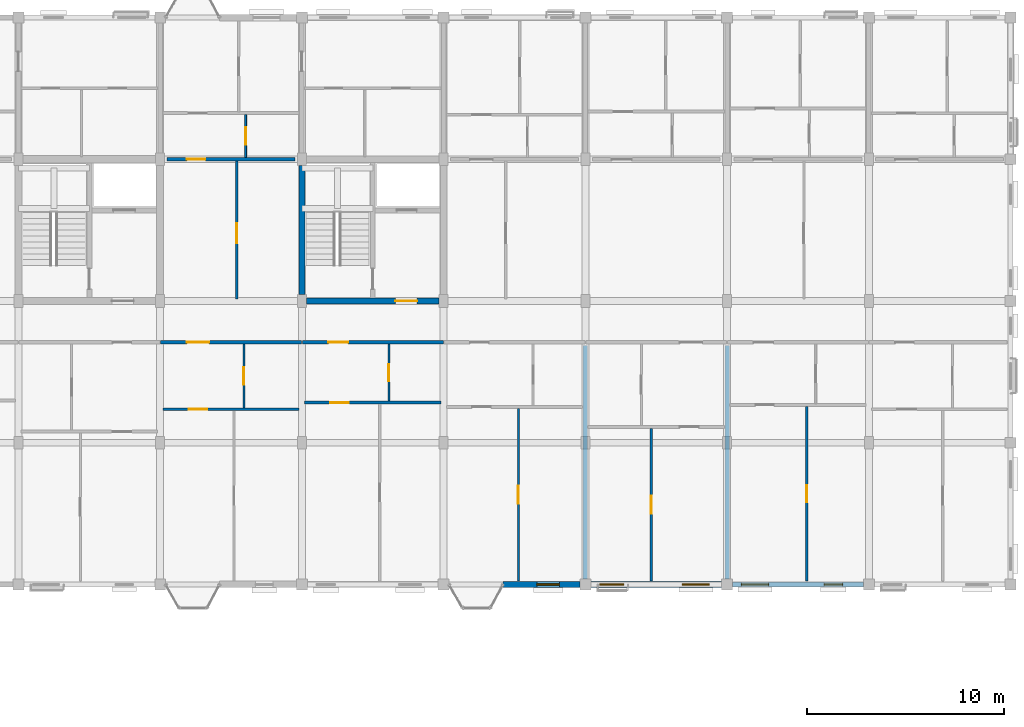
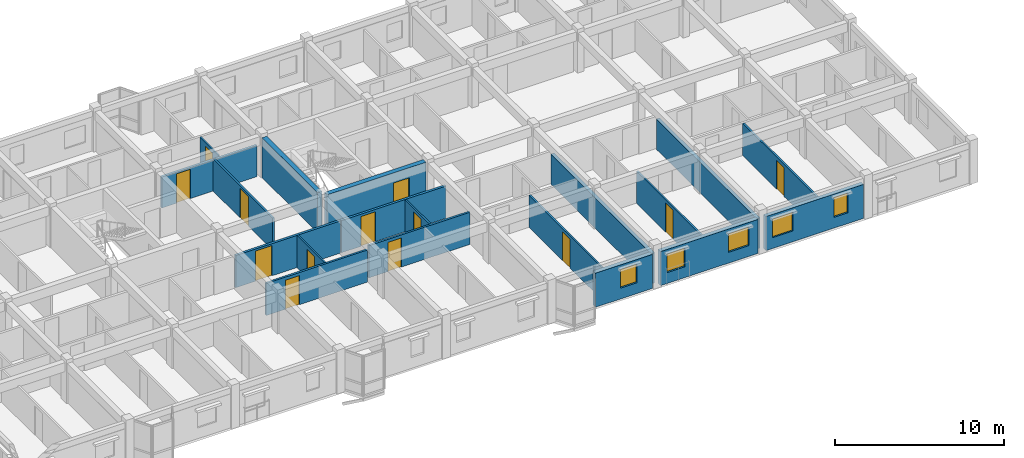
# One storey, part 67 of 79: 19 walls, 13 doors, 5 windows, 18 openings.
"""IFC4 building model written with IfcOpenShell, lengths in metres."""

import ifcopenshell
import ifcopenshell.guid

model = None  # the IFC model being written
_history = None  # IfcOwnerHistory: only IFC2X3 demands one
_inside = {}  # id of a spatial element -> (the spatial element, [elements in it])
_under = {}  # id of a project, library or spatial element -> (it, [spatial elements below it])
_declared = {}  # id of a project -> (the project, [libraries it declares])
_typed = {}  # id of a type object -> (the type object, [elements of that type])
_made_of = {}  # id of a material, layer set ... -> (it, [elements and type objects made of it])


def new_model(schema):
    """Start an empty IFC model of exactly this schema.

    Asked for "IFC4X3", IfcOpenShell would pick the latest addendum, in which some entities
    have other attributes; the version numbers below select the first issue.
    IFC2X3 requires an IfcOwnerHistory on every rooted entity: one is made here for all.
    """
    global model, _history
    if schema == "IFC4X3":
        model = ifcopenshell.file(schema_version=(4, 3, 0, 0))
    else:
        model = ifcopenshell.file(schema=schema)
    _inside.clear()
    _under.clear()
    _declared.clear()
    _typed.clear()
    _made_of.clear()
    _history = None
    if model.schema == "IFC2X3":
        org = make("IfcOrganization", Name="unknown")
        user = make(
            "IfcPersonAndOrganization",
            ThePerson=make("IfcPerson", FamilyName="unknown"),
            TheOrganization=org,
        )
        app = make(
            "IfcApplication",
            ApplicationDeveloper=org,
            Version="unknown",
            ApplicationFullName="unknown",
            ApplicationIdentifier="unknown",
        )
        _history = make(
            "IfcOwnerHistory",
            OwningUser=user,
            OwningApplication=app,
            ChangeAction="ADDED",
            CreationDate=0,
        )
    return model


def make(cls, **values):
    """One entity of the class cls with the attributes given. An attribute that is None is left unset."""
    return model.create_entity(
        cls, **{name: value for name, value in values.items() if value is not None}
    )


def rooted(cls, **values):
    """An entity with a GlobalId (a new one), such as an element, a storey or a relation."""
    return make(cls, GlobalId=ifcopenshell.guid.new(), OwnerHistory=_history, **values)


def si_unit(unit_type, name, prefix=None):
    """IfcSIUnit, for example si_unit("LENGTHUNIT", "METRE", prefix="MILLI")."""
    return make("IfcSIUnit", UnitType=unit_type, Prefix=prefix, Name=name)


def assignment(units):
    """IfcUnitAssignment: the units of a project."""
    return None if units is None else make("IfcUnitAssignment", Units=units)


def point(xyz):
    """IfcCartesianPoint."""
    return None if xyz is None else make("IfcCartesianPoint", Coordinates=xyz)


def direction(xyz):
    """IfcDirection."""
    return None if xyz is None else make("IfcDirection", DirectionRatios=xyz)


def frame(location, z_axis=None, x_axis=None):
    """IfcAxis2Placement3D, a coordinate frame: its origin and axes. An axis left out is left unset."""
    return make(
        "IfcAxis2Placement3D",
        Location=point(location),
        Axis=direction(z_axis),
        RefDirection=direction(x_axis),
    )


def frame_2d(location, x_axis=None):
    """IfcAxis2Placement2D, a coordinate frame in the plane: its origin and x axis."""
    return make(
        "IfcAxis2Placement2D", Location=point(location), RefDirection=direction(x_axis)
    )


def origin():
    """The frame at (0, 0, 0) with its axes left unset."""
    return frame((0.0, 0.0, 0.0))


def place(relative_to, where):
    """IfcLocalPlacement: puts the frame where relative to a parent placement (None: the world)."""
    return make(
        "IfcLocalPlacement", PlacementRelTo=relative_to, RelativePlacement=where
    )


def context(
    kind, dimensions, precision=None, world=None, true_north=None, identifier=None
):
    """IfcGeometricRepresentationContext, for example the 3D "Model" context."""
    return make(
        "IfcGeometricRepresentationContext",
        ContextIdentifier=identifier,
        ContextType=kind,
        CoordinateSpaceDimension=dimensions,
        Precision=precision,
        WorldCoordinateSystem=world,
        TrueNorth=true_north,
    )


def subcontext(parent, identifier, kind, view, scale=None):
    """IfcGeometricRepresentationSubContext, for example "Body" below "Model"."""
    return make(
        "IfcGeometricRepresentationSubContext",
        ContextIdentifier=identifier,
        ContextType=kind,
        ParentContext=parent,
        TargetScale=scale,
        TargetView=view,
    )


def project(units=None, contexts=None):
    """IfcProject with its units and contexts."""
    return rooted(
        "IfcProject",
        Name="project",
        RepresentationContexts=contexts,
        UnitsInContext=assignment(units),
    )


def spatial(cls, under=None, at=None, **own):
    """A site, building, storey or space (cls), placed at a placement, below another one or the project."""
    s = rooted(cls, ObjectPlacement=at, **own)
    if under is not None:
        _under.setdefault(under.id(), (under, []))[1].append(s)
    return s


def profile(cls, at=None, kind="AREA", **sizes):
    """A parametric profile (cls). Its sizes go by their IFC names, for example OverallWidth=200.0."""
    return make(cls, ProfileType=kind, Position=at, **sizes)


def rectangle(**sizes):
    """IfcRectangleProfileDef."""
    return profile("IfcRectangleProfileDef", **sizes)


def extrude(swept, where, along, depth):
    """IfcExtrudedAreaSolid: the profile swept, set in the frame where, extruded along a direction by depth."""
    return make(
        "IfcExtrudedAreaSolid",
        SweptArea=swept,
        Position=where,
        ExtrudedDirection=direction(along),
        Depth=depth,
    )


def shape(context_of_items, identifier, shape_type, items):
    """IfcShapeRepresentation: the items that make up one representation, for example the "Body"."""
    return make(
        "IfcShapeRepresentation",
        ContextOfItems=context_of_items,
        RepresentationIdentifier=identifier,
        RepresentationType=shape_type,
        Items=items,
    )


def material(Name=None, Category=None):
    """IfcMaterial."""
    return make("IfcMaterial", Name=Name, Category=Category)


def layer(
    of_material, thickness, ventilated=None, Name=None, Category=None, Priority=None
):
    """IfcMaterialLayer: one layer of a wall or slab, of a material (None: an air gap)."""
    return make(
        "IfcMaterialLayer",
        Material=of_material,
        LayerThickness=thickness,
        IsVentilated=ventilated,
        Name=Name,
        Category=Category,
        Priority=Priority,
    )


def layer_set(layers, Name=None):
    """IfcMaterialLayerSet."""
    return make("IfcMaterialLayerSet", MaterialLayers=layers, LayerSetName=Name)


def made_of(thing, what):
    """Note that an element or type object is made of a material, layer set ...; save() writes the relation."""
    if what is not None:
        _made_of.setdefault(what.id(), (what, []))[1].append(thing)
    return thing


def type_object(cls, material=None, **own):
    """A type object (cls), such as IfcWallType, which elements share."""
    return made_of(rooted(cls, **own), material)


def element(
    cls,
    number,
    at=None,
    inside=None,
    cuts=None,
    type_object=None,
    material=None,
    context=None,
    identifier="Body",
    shape_type=None,
    held_by="IfcProductDefinitionShape",
    body=None,
    shapes=None,
    **own,
):
    """One element of the class cls, such as IfcWall. Its Tag is "e" and its number.

    at: its placement. inside: the storey or other place that contains it. cuts: it is an
    opening in that element (IfcRelVoidsElement). A single representation is given by context,
    identifier, shape_type and body (its items); several are given by shapes. held_by: the class
    of the entity that holds the representations. save() writes the other relations.
    """
    e = rooted(cls, Tag="e%d" % number, ObjectPlacement=at, **own)
    if body is not None:
        shapes = [shape(context, identifier, shape_type, body)]
    if shapes is not None:
        e.Representation = make(held_by, Representations=shapes)
    if inside is not None:
        _inside.setdefault(inside.id(), (inside, []))[1].append(e)
    if cuts is not None:
        rooted(
            "IfcRelVoidsElement", RelatingBuildingElement=cuts, RelatedOpeningElement=e
        )
    if type_object is not None:
        _typed.setdefault(type_object.id(), (type_object, []))[1].append(e)
    return made_of(e, material)


def fill(opening, filler):
    """IfcRelFillsElement: the door or window that sits in an opening."""
    return rooted(
        "IfcRelFillsElement",
        RelatingOpeningElement=opening,
        RelatedBuildingElement=filler,
    )


def aggregate(whole, parts):
    """IfcRelAggregates: a whole, such as a stair, and the parts it consists of."""
    return rooted("IfcRelAggregates", RelatingObject=whole, RelatedObjects=parts)


def save(model, path):
    """Write the relations noted so far, then the file.

    IfcRelAggregates (storeys below a building ...), IfcRelContainedInSpatialStructure (elements
    in a storey), IfcRelDefinesByType, IfcRelAssociatesMaterial and IfcRelDeclares: one each for
    every whole, place, type object, material and project.
    """
    for whole, parts in _under.values():
        aggregate(whole, parts)
    for where, things in _inside.values():
        rooted(
            "IfcRelContainedInSpatialStructure",
            RelatedElements=things,
            RelatingStructure=where,
        )
    for kind, things in _typed.values():
        rooted("IfcRelDefinesByType", RelatedObjects=things, RelatingType=kind)
    for what, things in _made_of.values():
        rooted("IfcRelAssociatesMaterial", RelatedObjects=things, RelatingMaterial=what)
    for by, libraries in _declared.values():
        rooted("IfcRelDeclares", RelatingContext=by, RelatedDefinitions=libraries)
    model.write(path)


model = new_model("IFC4")

# Units and contexts
model_context = context("Model", 3, precision=1e-05, world=origin(), true_north=direction((0.0, 1.0)))
body_context = subcontext(model_context, "Body", "Model", "MODEL_VIEW")
ifc_project = project(units=[si_unit("LENGTHUNIT", "METRE"), si_unit("AREAUNIT", "SQUARE_METRE"), si_unit("VOLUMEUNIT", "CUBIC_METRE"), si_unit("PLANEANGLEUNIT", "RADIAN"), si_unit("MASSUNIT", "GRAM", prefix="KILO"), si_unit("THERMODYNAMICTEMPERATUREUNIT", "KELVIN"), si_unit("POWERUNIT", "WATT")], contexts=[model_context])

# Site, building, storey
site_placement = place(None, origin())
site = spatial("IfcSite", under=ifc_project, at=site_placement, CompositionType="ELEMENT")
building_placement = place(site_placement, origin())
building = spatial("IfcBuilding", under=site, at=building_placement, Name="Tavuni Mirador Residences", CompositionType="ELEMENT")
storey_placement = place(building_placement, frame((0.0, 0.0, 13.949951171875)))
storey = spatial("IfcBuildingStorey", under=building, at=storey_placement, Name="L04", CompositionType="ELEMENT", Elevation=13.949951171875)

# Wall
ifc_material_1 = material(Name="Precast concrete C40/50", Category="concrete")
ifc_layer_1 = layer(ifc_material_1, 0.320068359375, Name="Precast concrete C40/50", Category="concrete")
ifc_layer_set_1 = layer_set([ifc_layer_1], Name="Precast concrete C40/50")
wall_type_1 = type_object("IfcWallType", Name="WT-COR320", PredefinedType="SHEAR", material=ifc_layer_set_1)
wall_1_placement = place(storey_placement, frame((39.60009765625, 158.72509765625, 0.0), z_axis=(0.0, 0.0, 1.0), x_axis=(0.0, 1.0, 0.0)))
element("IfcWall", 1, at=wall_1_placement, inside=storey, type_object=wall_type_1, Name="CWALL-C6-L04-W", PredefinedType="SHEAR", context=body_context, shape_type="SweptSolid", body=[
    extrude(rectangle(XDim=6.5498046875, YDim=0.320068359375, at=frame_2d((3.27490234375, 0.0))), origin(), (0.0, 0.0, 1.0), 2.885009765625),
])

# Wall, opening, door
wall_2_placement = place(storey_placement, frame((39.824951171875, 158.39990234375, 0.0), z_axis=(0.0, 0.0, 1.0), x_axis=(1.0, 0.0, 0.0)))
wall_2 = element("IfcWall", 2, at=wall_2_placement, inside=storey, type_object=wall_type_1, Name="CWALL-C6-L04-SS", PredefinedType="SHEAR", context=body_context, shape_type="SweptSolid", body=[
    extrude(rectangle(XDim=6.75, YDim=0.320068359375, at=frame_2d((3.375, 0.0))), origin(), (0.0, 0.0, 1.0), 2.885009765625),
])
opening_1_placement = place(wall_2_placement, frame((4.52490234375, 0.0, 0.0)))
opening_1 = element("IfcOpeningElement", 3, at=opening_1_placement, cuts=wall_2, Name="Opening D-02", PredefinedType="OPENING", context=body_context, shape_type="SweptSolid", body=[
    extrude(rectangle(XDim=1.10009765625, YDim=2.14990234375, at=frame_2d((0.550048828125, 1.074951171875))), frame((0.0, 0.169921875, 0.0), z_axis=(0.0, -1.0, 0.0), x_axis=(1.0, 0.0, 0.0)), (0.0, 0.0, 1.0), 0.340087890625),
])
ifc_material_2 = material(Name="Solid core iroko timber", Category="wood")
door_type_1 = type_object("IfcDoorType", Name="DT-LOB1100", OperationType="NOTDEFINED", PredefinedType="DOOR", material=ifc_material_2)
door_1_placement = place(opening_1_placement, frame((1.10009765625, 0.0, 0.0), z_axis=(0.0, 0.0, 1.0), x_axis=(-1.0, 0.0, 0.0)))
door_1 = element("IfcDoor", 4, at=door_1_placement, inside=storey, type_object=door_type_1, Name="DR-2231", OperationType="SINGLE_SWING_LEFT", OverallHeight=2.14990234375, OverallWidth=1.10009765625, PredefinedType="DOOR", context=body_context, shape_type="SweptSolid", body=[
    extrude(rectangle(XDim=1.10009765625, YDim=2.14990234375, at=frame_2d((0.550048828125, 1.074951171875))), frame((0.0, 0.02490234375, 0.0), z_axis=(0.0, -1.0, 0.0), x_axis=(1.0, 0.0, 0.0)), (0.0, 0.0, 1.0), 0.050048828125),
])
fill(opening_1, door_1)

ifc_layer_2 = layer(ifc_material_1, 0.1650390625, Name="Precast concrete C40/50", Category="concrete")
ifc_layer_set_2 = layer_set([ifc_layer_2], Name="Precast concrete C40/50")
wall_type_2 = type_object("IfcWallType", Name="WT-CORR165", PredefinedType="PARTITIONING", material=ifc_layer_set_2)
wall_3_placement = place(storey_placement, frame((32.419921875, 156.300048828125, 0.0), z_axis=(0.0, 0.0, 1.0), x_axis=(1.0, 0.0, 0.0)))
wall_3 = element("IfcWall", 5, at=wall_3_placement, inside=storey, type_object=wall_type_2, Name="CORW-BLK-C-L04-0-03", PredefinedType="PARTITIONING", context=body_context, shape_type="SweptSolid", body=[
    extrude(rectangle(XDim=7.16015625, YDim=0.1650390625, at=frame_2d((3.580078125, 0.0))), origin(), (0.0, 0.0, 1.0), 2.320068359375),
])
opening_2_placement = place(wall_3_placement, frame((1.330078125, 0.0, 0.0)))
opening_2 = element("IfcOpeningElement", 6, at=opening_2_placement, cuts=wall_3, Name="Opening D-20", PredefinedType="OPENING", context=body_context, shape_type="SweptSolid", body=[
    extrude(rectangle(XDim=1.139892578125, YDim=2.179931640625, at=frame_2d((0.56982421875, 1.08984375))), frame((0.0, 0.092529296875, 0.0), z_axis=(0.0, -1.0, 0.0), x_axis=(1.0, 0.0, 0.0)), (0.0, 0.0, 1.0), 0.18505859375),
])
door_type_2 = type_object("IfcDoorType", Name="DT-FD60-1140", OperationType="NOTDEFINED", PredefinedType="DOOR", material=ifc_material_2)
door_2_placement = place(opening_2_placement, origin())
door_2 = element("IfcDoor", 7, at=door_2_placement, inside=storey, type_object=door_type_2, Name="DR-2678", OperationType="SINGLE_SWING_LEFT", OverallHeight=2.179931640625, OverallWidth=1.139892578125, PredefinedType="DOOR", context=body_context, shape_type="SweptSolid", body=[
    extrude(rectangle(XDim=1.139892578125, YDim=2.179931640625, at=frame_2d((0.56982421875, 1.08984375))), frame((0.0, 0.02490234375, 0.0), z_axis=(0.0, -1.0, 0.0), x_axis=(1.0, 0.0, 0.0)), (0.0, 0.0, 1.0), 0.050048828125),
])
fill(opening_2, door_2)

wall_4_placement = place(storey_placement, frame((39.6201171875, 156.300048828125, 0.0), z_axis=(0.0, 0.0, 1.0), x_axis=(1.0, 0.0, 0.0)))
wall_4 = element("IfcWall", 8, at=wall_4_placement, inside=storey, type_object=wall_type_2, Name="CORW-BLK-C-L04-0-04", PredefinedType="PARTITIONING", context=body_context, shape_type="SweptSolid", body=[
    extrude(rectangle(XDim=7.159912109375, YDim=0.1650390625, at=frame_2d((3.580078125, 0.0))), origin(), (0.0, 0.0, 1.0), 2.320068359375),
])
opening_3_placement = place(wall_4_placement, frame((1.330078125, 0.0, 0.0)))
opening_3 = element("IfcOpeningElement", 9, at=opening_3_placement, cuts=wall_4, Name="Opening D-03", PredefinedType="OPENING", context=body_context, shape_type="SweptSolid", body=[
    extrude(rectangle(XDim=1.0, YDim=2.14990234375, at=frame_2d((0.5, 1.074951171875))), frame((0.0, 0.092529296875, 0.0), z_axis=(0.0, -1.0, 0.0), x_axis=(1.0, 0.0, 0.0)), (0.0, 0.0, 1.0), 0.18505859375),
])
door_type_3 = type_object("IfcDoorType", Name="DT-FD60-1000", OperationType="NOTDEFINED", PredefinedType="DOOR", material=ifc_material_2)
door_3_placement = place(opening_3_placement, origin())
door_3 = element("IfcDoor", 10, at=door_3_placement, inside=storey, type_object=door_type_3, Name="DR-2679", OperationType="SINGLE_SWING_RIGHT", OverallHeight=2.14990234375, OverallWidth=1.0, PredefinedType="DOOR", context=body_context, shape_type="SweptSolid", body=[
    extrude(rectangle(XDim=1.0, YDim=2.14990234375, at=frame_2d((0.5, 1.074951171875))), frame((0.0, 0.02490234375, 0.0), z_axis=(0.0, -1.0, 0.0), x_axis=(1.0, 0.0, 0.0)), (0.0, 0.0, 1.0), 0.050048828125),
])
fill(opening_3, door_3)

wall_5_placement = place(storey_placement, frame((32.75, 165.60009765625, 0.0), z_axis=(0.0, 0.0, 1.0), x_axis=(1.0, 0.0, 0.0)))
wall_5 = element("IfcWall", 11, at=wall_5_placement, inside=storey, type_object=wall_type_2, Name="CORW-BLK-C-L04-1-03", PredefinedType="PARTITIONING", context=body_context, shape_type="SweptSolid", body=[
    extrude(rectangle(XDim=6.5, YDim=0.1650390625, at=frame_2d((3.25, 0.0))), origin(), (0.0, 0.0, 1.0), 2.235107421875),
])
opening_4_placement = place(wall_5_placement, frame((1.0, 0.0, 0.0)))
opening_4 = element("IfcOpeningElement", 12, at=opening_4_placement, cuts=wall_5, Name="Opening D-19", PredefinedType="OPENING", context=body_context, shape_type="SweptSolid", body=[
    extrude(rectangle(XDim=0.93994140625, YDim=2.1201171875, at=frame_2d((0.469970703125, 1.06005859375))), frame((0.0, 0.092529296875, 0.0), z_axis=(0.0, -1.0, 0.0), x_axis=(1.0, 0.0, 0.0)), (0.0, 0.0, 1.0), 0.18505859375),
])
door_type_4 = type_object("IfcDoorType", Name="DT-FD60-940", OperationType="NOTDEFINED", PredefinedType="DOOR", material=ifc_material_2)
door_4_placement = place(opening_4_placement, origin())
door_4 = element("IfcDoor", 13, at=door_4_placement, inside=storey, type_object=door_type_4, Name="DR-2686", OperationType="SINGLE_SWING_LEFT", OverallHeight=2.1201171875, OverallWidth=0.93994140625, PredefinedType="DOOR", context=body_context, shape_type="SweptSolid", body=[
    extrude(rectangle(XDim=0.93994140625, YDim=2.1201171875, at=frame_2d((0.469970703125, 1.06005859375))), frame((0.0, 0.02490234375, 0.0), z_axis=(0.0, -1.0, 0.0), x_axis=(1.0, 0.0, 0.0)), (0.0, 0.0, 1.0), 0.050048828125),
])
fill(opening_4, door_4)

# Wall, openings, windows
ifc_material_3 = material(Name="Sgraffito lime-rendered precast concrete C40/50", Category="concrete")
ifc_layer_3 = layer(ifc_material_3, 0.27490234375, Name="Sgraffito lime-rendered precast concrete C40/50", Category="concrete")
ifc_layer_set_3 = layer_set([ifc_layer_3], Name="Sgraffito lime-rendered precast concrete C40/50")
wall_type_3 = type_object("IfcWallType", Name="WT-EXT-PC275", PredefinedType="SOLIDWALL", material=ifc_layer_set_3)
wall_6_placement = place(storey_placement, frame((61.47509765625, 144.0, 0.0), z_axis=(0.0, 0.0, 1.0), x_axis=(1.0, 0.0, 0.0)))
wall_6 = element("IfcWall", 14, at=wall_6_placement, inside=storey, type_object=wall_type_3, Name="EW-BLK-C-L04-S07", PredefinedType="SOLIDWALL", context=body_context, shape_type="SweptSolid", body=[
    extrude(rectangle(XDim=6.64990234375, YDim=0.27490234375, at=frame_2d((3.324951171875, 0.0))), origin(), (0.0, 0.0, 1.0), 2.455078125),
])
opening_5_placement = place(wall_6_placement, frame((0.449951171875, 0.0, 0.780029296875)))
opening_5 = element("IfcOpeningElement", 15, at=opening_5_placement, cuts=wall_6, Name="Opening WN-23", PredefinedType="OPENING", context=body_context, shape_type="SweptSolid", body=[
    extrude(rectangle(XDim=1.3798828125, YDim=1.360107421875, at=frame_2d((0.68994140625, 0.68017578125))), frame((0.0, 0.1474609375, 0.0), z_axis=(0.0, -1.0, 0.0), x_axis=(1.0, 0.0, 0.0)), (0.0, 0.0, 1.0), 0.294921875),
])
opening_6_placement = place(wall_6_placement, frame((4.64990234375, 0.0, 0.780029296875)))
opening_6 = element("IfcOpeningElement", 16, at=opening_6_placement, cuts=wall_6, Name="Opening WN-25", PredefinedType="OPENING", context=body_context, shape_type="SweptSolid", body=[
    extrude(rectangle(XDim=0.93994140625, YDim=1.43994140625, at=frame_2d((0.469970703125, 0.719970703125))), frame((0.0, 0.1474609375, 0.0), z_axis=(0.0, -1.0, 0.0), x_axis=(1.0, 0.0, 0.0)), (0.0, 0.0, 1.0), 0.294921875),
])
ifc_material_4 = material(Name="Laminated solar-control glass", Category="glass")
window_type_1 = type_object("IfcWindowType", Name="WNT-23", PartitioningType="SINGLE_PANEL", PredefinedType="WINDOW", material=ifc_material_4)
window_1_placement = place(opening_5_placement, origin())
window_1 = element("IfcWindow", 17, at=window_1_placement, inside=storey, type_object=window_type_1, Name="WIN-1008", OverallHeight=1.360107421875, OverallWidth=1.3798828125, PartitioningType="SINGLE_PANEL", PredefinedType="WINDOW", context=body_context, shape_type="SweptSolid", body=[
    extrude(rectangle(XDim=1.3798828125, YDim=1.360107421875, at=frame_2d((0.68994140625, 0.68017578125))), frame((0.0, 0.030029296875, 0.0), z_axis=(0.0, -1.0, 0.0), x_axis=(1.0, 0.0, 0.0)), (0.0, 0.0, 1.0), 0.06005859375),
])
fill(opening_5, window_1)
window_type_2 = type_object("IfcWindowType", Name="WNT-25", PartitioningType="SINGLE_PANEL", PredefinedType="WINDOW", material=ifc_material_4)
window_2_placement = place(opening_6_placement, origin())
window_2 = element("IfcWindow", 18, at=window_2_placement, inside=storey, type_object=window_type_2, Name="WIN-1009", OverallHeight=1.43994140625, OverallWidth=0.93994140625, PartitioningType="SINGLE_PANEL", PredefinedType="WINDOW", context=body_context, shape_type="SweptSolid", body=[
    extrude(rectangle(XDim=0.93994140625, YDim=1.43994140625, at=frame_2d((0.469970703125, 0.719970703125))), frame((0.0, 0.030029296875, 0.0), z_axis=(0.0, -1.0, 0.0), x_axis=(1.0, 0.0, 0.0)), (0.0, 0.0, 1.0), 0.06005859375),
])
fill(opening_6, window_2)

ifc_layer_4 = layer(ifc_material_3, 0.2900390625, Name="Sgraffito lime-rendered precast concrete C40/50", Category="concrete")
ifc_layer_set_4 = layer_set([ifc_layer_4], Name="Sgraffito lime-rendered precast concrete C40/50")
wall_type_4 = type_object("IfcWallType", Name="WT-EXT-PC290", PredefinedType="SOLIDWALL", material=ifc_layer_set_4)
wall_7_placement = place(storey_placement, frame((54.27490234375, 144.0, 0.0), z_axis=(0.0, 0.0, 1.0), x_axis=(1.0, 0.0, 0.0)))
wall_7 = element("IfcWall", 19, at=wall_7_placement, inside=storey, type_object=wall_type_4, Name="EW-BLK-C-L04-S06", PredefinedType="SOLIDWALL", context=body_context, shape_type="SweptSolid", body=[
    extrude(rectangle(XDim=6.650146484375, YDim=0.2900390625, at=frame_2d((3.3251953125, 0.0))), origin(), (0.0, 0.0, 1.0), 2.455078125),
])
opening_7_placement = place(wall_7_placement, frame((0.449951171875, 0.0, 0.780029296875)))
opening_7 = element("IfcOpeningElement", 20, at=opening_7_placement, cuts=wall_7, Name="Opening WN-21", PredefinedType="OPENING", context=body_context, shape_type="SweptSolid", body=[
    extrude(rectangle(XDim=1.219970703125, YDim=1.360107421875, at=frame_2d((0.60986328125, 0.68017578125))), frame((0.0, 0.155029296875, 0.0), z_axis=(0.0, -1.0, 0.0), x_axis=(1.0, 0.0, 0.0)), (0.0, 0.0, 1.0), 0.31005859375),
])
opening_8_placement = place(wall_7_placement, frame((4.64990234375, 0.0, 0.780029296875)))
opening_8 = element("IfcOpeningElement", 21, at=opening_8_placement, cuts=wall_7, Name="Opening WN-23", PredefinedType="OPENING", context=body_context, shape_type="SweptSolid", body=[
    extrude(rectangle(XDim=1.3798828125, YDim=1.360107421875, at=frame_2d((0.68994140625, 0.68017578125))), frame((0.0, 0.155029296875, 0.0), z_axis=(0.0, -1.0, 0.0), x_axis=(1.0, 0.0, 0.0)), (0.0, 0.0, 1.0), 0.31005859375),
])
window_type_3 = type_object("IfcWindowType", Name="WNT-21", PartitioningType="SINGLE_PANEL", PredefinedType="WINDOW", material=ifc_material_4)
window_3_placement = place(opening_7_placement, origin())
window_3 = element("IfcWindow", 22, at=window_3_placement, inside=storey, type_object=window_type_3, Name="WIN-1006", OverallHeight=1.360107421875, OverallWidth=1.219970703125, PartitioningType="SINGLE_PANEL", PredefinedType="WINDOW", context=body_context, shape_type="SweptSolid", body=[
    extrude(rectangle(XDim=1.219970703125, YDim=1.360107421875, at=frame_2d((0.60986328125, 0.68017578125))), frame((0.0, 0.030029296875, 0.0), z_axis=(0.0, -1.0, 0.0), x_axis=(1.0, 0.0, 0.0)), (0.0, 0.0, 1.0), 0.06005859375),
])
fill(opening_7, window_3)
window_4_placement = place(opening_8_placement, origin())
window_4 = element("IfcWindow", 23, at=window_4_placement, inside=storey, type_object=window_type_1, Name="WIN-1007", OverallHeight=1.360107421875, OverallWidth=1.3798828125, PartitioningType="SINGLE_PANEL", PredefinedType="WINDOW", context=body_context, shape_type="SweptSolid", body=[
    extrude(rectangle(XDim=1.3798828125, YDim=1.360107421875, at=frame_2d((0.68994140625, 0.68017578125))), frame((0.0, 0.030029296875, 0.0), z_axis=(0.0, -1.0, 0.0), x_axis=(1.0, 0.0, 0.0)), (0.0, 0.0, 1.0), 0.06005859375),
])
fill(opening_8, window_4)

# Wall, opening, window
ifc_layer_5 = layer(ifc_material_3, 0.304931640625, Name="Sgraffito lime-rendered precast concrete C40/50", Category="concrete")
ifc_layer_set_5 = layer_set([ifc_layer_5], Name="Sgraffito lime-rendered precast concrete C40/50")
wall_type_5 = type_object("IfcWallType", Name="WT-EXT-PC305", PredefinedType="SOLIDWALL", material=ifc_layer_set_5)
wall_8_placement = place(storey_placement, frame((49.820068359375, 144.0, 0.0), z_axis=(0.0, 0.0, 1.0), x_axis=(1.0, 0.0, 0.0)))
wall_8 = element("IfcWall", 24, at=wall_8_placement, inside=storey, type_object=wall_type_5, Name="EW-BLK-C-L04-S05", PredefinedType="SOLIDWALL", context=body_context, shape_type="SweptSolid", body=[
    extrude(rectangle(XDim=3.905029296875, YDim=0.304931640625, at=frame_2d((1.95263671875, 0.0))), origin(), (0.0, 0.0, 1.0), 2.455078125),
])
opening_9_placement = place(wall_8_placement, frame((1.717529296875, 0.0, 0.780029296875)))
opening_9 = element("IfcOpeningElement", 25, at=opening_9_placement, cuts=wall_8, Name="Opening WN-20", PredefinedType="OPENING", context=body_context, shape_type="SweptSolid", body=[
    extrude(rectangle(XDim=1.139892578125, YDim=1.360107421875, at=frame_2d((0.56982421875, 0.68017578125))), frame((0.0, 0.16259765625, 0.0), z_axis=(0.0, -1.0, 0.0), x_axis=(1.0, 0.0, 0.0)), (0.0, 0.0, 1.0), 0.324951171875),
])
window_type_4 = type_object("IfcWindowType", Name="WNT-20", PartitioningType="SINGLE_PANEL", PredefinedType="WINDOW", material=ifc_material_4)
window_5_placement = place(opening_9_placement, origin())
window_5 = element("IfcWindow", 26, at=window_5_placement, inside=storey, type_object=window_type_4, Name="WIN-1005", OverallHeight=1.360107421875, OverallWidth=1.139892578125, PartitioningType="SINGLE_PANEL", PredefinedType="WINDOW", context=body_context, shape_type="SweptSolid", body=[
    extrude(rectangle(XDim=1.139892578125, YDim=1.360107421875, at=frame_2d((0.56982421875, 0.68017578125))), frame((0.0, 0.030029296875, 0.0), z_axis=(0.0, -1.0, 0.0), x_axis=(1.0, 0.0, 0.0)), (0.0, 0.0, 1.0), 0.06005859375),
])
fill(opening_9, window_5)

# Wall, opening, door
ifc_material_5 = material(Name="Acoustic gypsum and concrete block partition", Category="concrete")
ifc_layer_6 = layer(ifc_material_5, 0.094970703125, Name="Acoustic gypsum and concrete block partition", Category="concrete")
ifc_layer_set_6 = layer_set([ifc_layer_6], Name="Acoustic gypsum and concrete block partition")
wall_type_6 = type_object("IfcWallType", Name="WT-PART095", PredefinedType="PARTITIONING", material=ifc_layer_set_6)
wall_9_placement = place(storey_placement, frame((36.739990234375, 165.68994140625, 0.0), z_axis=(0.0, 0.0, 1.0), x_axis=(0.0, 1.0, 0.0)))
wall_9 = element("IfcWall", 27, at=wall_9_placement, inside=storey, type_object=wall_type_6, Name="PW-BLK-C-L04-N03-IN1", PredefinedType="PARTITIONING", context=body_context, shape_type="SweptSolid", body=[
    extrude(rectangle(XDim=2.18017578125, YDim=0.094970703125, at=frame_2d((1.090087890625, 0.0))), origin(), (0.0, 0.0, 1.0), 2.320068359375),
])
opening_10_placement = place(wall_9_placement, frame((0.655029296875, 0.0, 0.0)))
opening_10 = element("IfcOpeningElement", 28, at=opening_10_placement, cuts=wall_9, Name="Opening D-10", PredefinedType="OPENING", context=body_context, shape_type="SweptSolid", body=[
    extrude(rectangle(XDim=0.8701171875, YDim=2.050048828125, at=frame_2d((0.43505859375, 1.02490234375))), frame((0.0, 0.0576171875, 0.0), z_axis=(0.0, -1.0, 0.0), x_axis=(1.0, 0.0, 0.0)), (0.0, 0.0, 1.0), 0.114990234375),
])
door_type_5 = type_object("IfcDoorType", Name="DT-WC870", OperationType="NOTDEFINED", PredefinedType="DOOR", material=ifc_material_2)
door_5_placement = place(opening_10_placement, origin())
door_5 = element("IfcDoor", 29, at=door_5_placement, inside=storey, type_object=door_type_5, Name="DR-3873", OperationType="SINGLE_SWING_RIGHT", OverallHeight=2.050048828125, OverallWidth=0.8701171875, PredefinedType="DOOR", context=body_context, shape_type="SweptSolid", body=[
    extrude(rectangle(XDim=0.8701171875, YDim=2.050048828125, at=frame_2d((0.43505859375, 1.02490234375))), frame((0.0, 0.02490234375, 0.0), z_axis=(0.0, -1.0, 0.0), x_axis=(1.0, 0.0, 0.0)), (0.0, 0.0, 1.0), 0.050048828125),
])
fill(opening_10, door_5)

ifc_layer_7 = layer(ifc_material_5, 0.10498046875, Name="Acoustic gypsum and concrete block partition", Category="concrete")
ifc_layer_set_7 = layer_set([ifc_layer_7], Name="Acoustic gypsum and concrete block partition")
wall_type_7 = type_object("IfcWallType", Name="WT-PART105", PredefinedType="PARTITIONING", material=ifc_layer_set_7)
wall_10_placement = place(storey_placement, frame((36.64990234375, 152.969970703125, 0.0), z_axis=(0.0, 0.0, 1.0), x_axis=(0.0, 1.0, 0.0)))
wall_10 = element("IfcWall", 30, at=wall_10_placement, inside=storey, type_object=wall_type_7, Name="PW-BLK-C-L04-S03-IN1", PredefinedType="PARTITIONING", context=body_context, shape_type="SweptSolid", body=[
    extrude(rectangle(XDim=3.239990234375, YDim=0.10498046875, at=frame_2d((1.6201171875, 0.0))), origin(), (0.0, 0.0, 1.0), 2.320068359375),
])
opening_11_placement = place(wall_10_placement, frame((1.169921875, 0.0, 0.0)))
opening_11 = element("IfcOpeningElement", 31, at=opening_11_placement, cuts=wall_10, Name="Opening D-09", PredefinedType="OPENING", context=body_context, shape_type="SweptSolid", body=[
    extrude(rectangle(XDim=0.89990234375, YDim=2.050048828125, at=frame_2d((0.449951171875, 1.02490234375))), frame((0.0, 0.0625, 0.0), z_axis=(0.0, -1.0, 0.0), x_axis=(1.0, 0.0, 0.0)), (0.0, 0.0, 1.0), 0.125),
])
door_type_6 = type_object("IfcDoorType", Name="DT-WC900", OperationType="NOTDEFINED", PredefinedType="DOOR", material=ifc_material_2)
door_6_placement = place(opening_11_placement, origin())
door_6 = element("IfcDoor", 32, at=door_6_placement, inside=storey, type_object=door_type_6, Name="DR-3870", OperationType="SINGLE_SWING_LEFT", OverallHeight=2.050048828125, OverallWidth=0.89990234375, PredefinedType="DOOR", context=body_context, shape_type="SweptSolid", body=[
    extrude(rectangle(XDim=0.89990234375, YDim=2.050048828125, at=frame_2d((0.449951171875, 1.02490234375))), frame((0.0, 0.02490234375, 0.0), z_axis=(0.0, -1.0, 0.0), x_axis=(1.0, 0.0, 0.0)), (0.0, 0.0, 1.0), 0.050048828125),
])
fill(opening_11, door_6)

wall_11_placement = place(storey_placement, frame((44.02001953125, 153.31005859375, 0.0), z_axis=(0.0, 0.0, 1.0), x_axis=(0.0, 1.0, 0.0)))
wall_11 = element("IfcWall", 33, at=wall_11_placement, inside=storey, type_object=wall_type_7, Name="PW-BLK-C-L04-S04-IN1", PredefinedType="PARTITIONING", context=body_context, shape_type="SweptSolid", body=[
    extrude(rectangle(XDim=2.89990234375, YDim=0.10498046875, at=frame_2d((1.449951171875, 0.0))), origin(), (0.0, 0.0, 1.0), 2.320068359375),
])
opening_12_placement = place(wall_11_placement, frame((1.014892578125, 0.0, 0.0)))
opening_12 = element("IfcOpeningElement", 34, at=opening_12_placement, cuts=wall_11, Name="Opening D-10", PredefinedType="OPENING", context=body_context, shape_type="SweptSolid", body=[
    extrude(rectangle(XDim=0.8701171875, YDim=2.050048828125, at=frame_2d((0.43505859375, 1.02490234375))), frame((0.0, 0.0625, 0.0), z_axis=(0.0, -1.0, 0.0), x_axis=(1.0, 0.0, 0.0)), (0.0, 0.0, 1.0), 0.125),
])
door_7_placement = place(opening_12_placement, origin())
door_7 = element("IfcDoor", 35, at=door_7_placement, inside=storey, type_object=door_type_5, Name="DR-3876", OperationType="SINGLE_SWING_RIGHT", OverallHeight=2.050048828125, OverallWidth=0.8701171875, PredefinedType="DOOR", context=body_context, shape_type="SweptSolid", body=[
    extrude(rectangle(XDim=0.8701171875, YDim=2.050048828125, at=frame_2d((0.43505859375, 1.02490234375))), frame((0.0, 0.02490234375, 0.0), z_axis=(0.0, -1.0, 0.0), x_axis=(1.0, 0.0, 0.0)), (0.0, 0.0, 1.0), 0.050048828125),
])
fill(opening_12, door_7)

ifc_layer_8 = layer(ifc_material_5, 0.114990234375, Name="Acoustic gypsum and concrete block partition", Category="concrete")
ifc_layer_set_8 = layer_set([ifc_layer_8], Name="Acoustic gypsum and concrete block partition")
wall_type_8 = type_object("IfcWallType", Name="WT-PART115", PredefinedType="PARTITIONING", material=ifc_layer_set_8)
wall_12_placement = place(storey_placement, frame((50.60009765625, 144.175048828125, 0.0), z_axis=(0.0, 0.0, 1.0), x_axis=(0.0, 1.0, 0.0)))
wall_12 = element("IfcWall", 36, at=wall_12_placement, inside=storey, type_object=wall_type_8, Name="PW-BLK-C-L04-S05-OUT", PredefinedType="PARTITIONING", context=body_context, shape_type="SweptSolid", body=[
    extrude(rectangle(XDim=8.77490234375, YDim=0.114990234375, at=frame_2d((4.387451171875, 0.0))), origin(), (0.0, 0.0, 1.0), 2.320068359375),
])
opening_13_placement = place(wall_12_placement, frame((3.9375, 0.0, 0.0)))
opening_13 = element("IfcOpeningElement", 37, at=opening_13_placement, cuts=wall_12, Name="Opening D-07", PredefinedType="OPENING", context=body_context, shape_type="SweptSolid", body=[
    extrude(rectangle(XDim=0.89990234375, YDim=2.10009765625, at=frame_2d((0.449951171875, 1.050048828125))), frame((0.0, 0.0673828125, 0.0), z_axis=(0.0, -1.0, 0.0), x_axis=(1.0, 0.0, 0.0)), (0.0, 0.0, 1.0), 0.135009765625),
])
door_type_7 = type_object("IfcDoorType", Name="DT-BED900", OperationType="NOTDEFINED", PredefinedType="DOOR", material=ifc_material_2)
door_8_placement = place(opening_13_placement, origin())
door_8 = element("IfcDoor", 38, at=door_8_placement, inside=storey, type_object=door_type_7, Name="DR-3881", OperationType="SINGLE_SWING_RIGHT", OverallHeight=2.10009765625, OverallWidth=0.89990234375, PredefinedType="DOOR", context=body_context, shape_type="SweptSolid", body=[
    extrude(rectangle(XDim=0.89990234375, YDim=2.10009765625, at=frame_2d((0.449951171875, 1.050048828125))), frame((0.0, 0.02490234375, 0.0), z_axis=(0.0, -1.0, 0.0), x_axis=(1.0, 0.0, 0.0)), (0.0, 0.0, 1.0), 0.050048828125),
])
fill(opening_13, door_8)

wall_13_placement = place(storey_placement, frame((57.35009765625, 144.175048828125, 0.0), z_axis=(0.0, 0.0, 1.0), x_axis=(0.0, 1.0, 0.0)))
wall_13 = element("IfcWall", 39, at=wall_13_placement, inside=storey, type_object=wall_type_8, Name="PW-BLK-C-L04-S06-OUT", PredefinedType="PARTITIONING", context=body_context, shape_type="SweptSolid", body=[
    extrude(rectangle(XDim=7.7548828125, YDim=0.114990234375, at=frame_2d((3.87744140625, 0.0))), origin(), (0.0, 0.0, 1.0), 2.320068359375),
])
opening_14_placement = place(wall_13_placement, frame((3.427490234375, 0.0, 0.0)))
opening_14 = element("IfcOpeningElement", 40, at=opening_14_placement, cuts=wall_13, Name="Opening D-07", PredefinedType="OPENING", context=body_context, shape_type="SweptSolid", body=[
    extrude(rectangle(XDim=0.89990234375, YDim=2.10009765625, at=frame_2d((0.449951171875, 1.050048828125))), frame((0.0, 0.0673828125, 0.0), z_axis=(0.0, -1.0, 0.0), x_axis=(1.0, 0.0, 0.0)), (0.0, 0.0, 1.0), 0.135009765625),
])
door_9_placement = place(opening_14_placement, origin())
door_9 = element("IfcDoor", 41, at=door_9_placement, inside=storey, type_object=door_type_7, Name="DR-3887", OperationType="SINGLE_SWING_RIGHT", OverallHeight=2.10009765625, OverallWidth=0.89990234375, PredefinedType="DOOR", context=body_context, shape_type="SweptSolid", body=[
    extrude(rectangle(XDim=0.89990234375, YDim=2.10009765625, at=frame_2d((0.449951171875, 1.050048828125))), frame((0.0, 0.02490234375, 0.0), z_axis=(0.0, -1.0, 0.0), x_axis=(1.0, 0.0, 0.0)), (0.0, 0.0, 1.0), 0.050048828125),
])
fill(opening_14, door_9)

ifc_layer_9 = layer(ifc_material_5, 0.125, Name="Acoustic gypsum and concrete block partition", Category="concrete")
ifc_layer_set_9 = layer_set([ifc_layer_9], Name="Acoustic gypsum and concrete block partition")
wall_type_9 = type_object("IfcWallType", Name="WT-PART125", PredefinedType="PARTITIONING", material=ifc_layer_set_9)
wall_14_placement = place(storey_placement, frame((36.300048828125, 158.489990234375, 0.0), z_axis=(0.0, 0.0, 1.0), x_axis=(0.0, 1.0, 0.0)))
wall_14 = element("IfcWall", 42, at=wall_14_placement, inside=storey, type_object=wall_type_9, Name="PW-SPN-BLK-C-L04-03", PredefinedType="PARTITIONING", context=body_context, shape_type="SweptSolid", body=[
    extrude(rectangle(XDim=7.02001953125, YDim=0.125, at=frame_2d((3.510009765625, 0.0))), origin(), (0.0, 0.0, 1.0), 2.320068359375),
])
opening_15_placement = place(wall_14_placement, frame((2.85009765625, 0.0, 0.0)))
opening_15 = element("IfcOpeningElement", 43, at=opening_15_placement, cuts=wall_14, Name="Opening D-13", PredefinedType="OPENING", context=body_context, shape_type="SweptSolid", body=[
    extrude(rectangle(XDim=1.02001953125, YDim=2.14990234375, at=frame_2d((0.510009765625, 1.074951171875))), frame((0.0, 0.072509765625, 0.0), z_axis=(0.0, -1.0, 0.0), x_axis=(1.0, 0.0, 0.0)), (0.0, 0.0, 1.0), 0.14501953125),
])
door_type_8 = type_object("IfcDoorType", Name="DT-MTG1020", OperationType="NOTDEFINED", PredefinedType="DOOR", material=ifc_material_2)
door_10_placement = place(opening_15_placement, origin())
door_10 = element("IfcDoor", 44, at=door_10_placement, inside=storey, type_object=door_type_8, Name="DR-3868", OperationType="SINGLE_SWING_RIGHT", OverallHeight=2.14990234375, OverallWidth=1.02001953125, PredefinedType="DOOR", context=body_context, shape_type="SweptSolid", body=[
    extrude(rectangle(XDim=1.02001953125, YDim=2.14990234375, at=frame_2d((0.510009765625, 1.074951171875))), frame((0.0, 0.02490234375, 0.0), z_axis=(0.0, -1.0, 0.0), x_axis=(1.0, 0.0, 0.0)), (0.0, 0.0, 1.0), 0.050048828125),
])
fill(opening_15, door_10)

wall_15_placement = place(storey_placement, frame((65.25, 144.175048828125, 0.0), z_axis=(0.0, 0.0, 1.0), x_axis=(0.0, 1.0, 0.0)))
wall_15 = element("IfcWall", 45, at=wall_15_placement, inside=storey, type_object=wall_type_9, Name="PW-BLK-C-L04-S07-OUT", PredefinedType="PARTITIONING", context=body_context, shape_type="SweptSolid", body=[
    extrude(rectangle(XDim=8.875, YDim=0.125, at=frame_2d((4.4375, 0.0))), origin(), (0.0, 0.0, 1.0), 2.320068359375),
])
opening_16_placement = place(wall_15_placement, frame((3.99755859375, 0.0, 0.0)))
opening_16 = element("IfcOpeningElement", 46, at=opening_16_placement, cuts=wall_15, Name="Opening D-08", PredefinedType="OPENING", context=body_context, shape_type="SweptSolid", body=[
    extrude(rectangle(XDim=0.8798828125, YDim=2.080078125, at=frame_2d((0.43994140625, 1.0400390625))), frame((0.0, 0.072509765625, 0.0), z_axis=(0.0, -1.0, 0.0), x_axis=(1.0, 0.0, 0.0)), (0.0, 0.0, 1.0), 0.14501953125),
])
door_type_9 = type_object("IfcDoorType", Name="DT-BED880", OperationType="NOTDEFINED", PredefinedType="DOOR", material=ifc_material_2)
door_11_placement = place(opening_16_placement, origin())
door_11 = element("IfcDoor", 47, at=door_11_placement, inside=storey, type_object=door_type_9, Name="DR-3894", OperationType="SINGLE_SWING_LEFT", OverallHeight=2.080078125, OverallWidth=0.8798828125, PredefinedType="DOOR", context=body_context, shape_type="SweptSolid", body=[
    extrude(rectangle(XDim=0.8798828125, YDim=2.080078125, at=frame_2d((0.43994140625, 1.0400390625))), frame((0.0, 0.02490234375, 0.0), z_axis=(0.0, -1.0, 0.0), x_axis=(1.0, 0.0, 0.0)), (0.0, 0.0, 1.0), 0.050048828125),
])
fill(opening_16, door_11)

ifc_layer_10 = layer(ifc_material_5, 0.139892578125, Name="Acoustic gypsum and concrete block partition", Category="concrete")
ifc_layer_set_10 = layer_set([ifc_layer_10], Name="Acoustic gypsum and concrete block partition")
wall_type_10 = type_object("IfcWallType", Name="WT-PART140", PredefinedType="PARTITIONING", material=ifc_layer_set_10)
wall_16_placement = place(storey_placement, frame((32.5400390625, 152.89990234375, 0.0), z_axis=(0.0, 0.0, 1.0), x_axis=(1.0, 0.0, 0.0)))
wall_16 = element("IfcWall", 48, at=wall_16_placement, inside=storey, type_object=wall_type_10, Name="PW-BLK-C-L04-S03-MID", PredefinedType="PARTITIONING", context=body_context, shape_type="SweptSolid", body=[
    extrude(rectangle(XDim=6.919921875, YDim=0.139892578125, at=frame_2d((3.4599609375, 0.0))), origin(), (0.0, 0.0, 1.0), 2.320068359375),
])
opening_17_placement = place(wall_16_placement, frame((1.31005859375, 0.0, 0.0)))
opening_17 = element("IfcOpeningElement", 49, at=opening_17_placement, cuts=wall_16, Name="Opening D-05", PredefinedType="OPENING", context=body_context, shape_type="SweptSolid", body=[
    extrude(rectangle(XDim=0.949951171875, YDim=2.10009765625, at=frame_2d((0.47509765625, 1.050048828125))), frame((0.0, 0.080078125, 0.0), z_axis=(0.0, -1.0, 0.0), x_axis=(1.0, 0.0, 0.0)), (0.0, 0.0, 1.0), 0.159912109375),
])
door_type_10 = type_object("IfcDoorType", Name="DT-INT950", OperationType="NOTDEFINED", PredefinedType="DOOR", material=ifc_material_2)
door_12_placement = place(opening_17_placement, origin())
door_12 = element("IfcDoor", 50, at=door_12_placement, inside=storey, type_object=door_type_10, Name="DR-3871", OperationType="SINGLE_SWING_LEFT", OverallHeight=2.10009765625, OverallWidth=0.949951171875, PredefinedType="DOOR", context=body_context, shape_type="SweptSolid", body=[
    extrude(rectangle(XDim=0.949951171875, YDim=2.10009765625, at=frame_2d((0.47509765625, 1.050048828125))), frame((0.0, 0.02490234375, 0.0), z_axis=(0.0, -1.0, 0.0), x_axis=(1.0, 0.0, 0.0)), (0.0, 0.0, 1.0), 0.050048828125),
])
fill(opening_17, door_12)

wall_17_placement = place(storey_placement, frame((39.739990234375, 153.239990234375, 0.0), z_axis=(0.0, 0.0, 1.0), x_axis=(1.0, 0.0, 0.0)))
wall_17 = element("IfcWall", 51, at=wall_17_placement, inside=storey, type_object=wall_type_10, Name="PW-BLK-C-L04-S04-MID", PredefinedType="PARTITIONING", context=body_context, shape_type="SweptSolid", body=[
    extrude(rectangle(XDim=6.919921875, YDim=0.139892578125, at=frame_2d((3.4599609375, 0.0))), origin(), (0.0, 0.0, 1.0), 2.320068359375),
])
opening_18_placement = place(wall_17_placement, frame((1.31005859375, 0.0, 0.0)))
opening_18 = element("IfcOpeningElement", 52, at=opening_18_placement, cuts=wall_17, Name="Opening D-06", PredefinedType="OPENING", context=body_context, shape_type="SweptSolid", body=[
    extrude(rectangle(XDim=0.919921875, YDim=2.10009765625, at=frame_2d((0.4599609375, 1.050048828125))), frame((0.0, 0.080078125, 0.0), z_axis=(0.0, -1.0, 0.0), x_axis=(1.0, 0.0, 0.0)), (0.0, 0.0, 1.0), 0.159912109375),
])
door_type_11 = type_object("IfcDoorType", Name="DT-INT920", OperationType="NOTDEFINED", PredefinedType="DOOR", material=ifc_material_2)
door_13_placement = place(opening_18_placement, origin())
door_13 = element("IfcDoor", 53, at=door_13_placement, inside=storey, type_object=door_type_11, Name="DR-3877", OperationType="SINGLE_SWING_RIGHT", OverallHeight=2.10009765625, OverallWidth=0.919921875, PredefinedType="DOOR", context=body_context, shape_type="SweptSolid", body=[
    extrude(rectangle(XDim=0.919921875, YDim=2.10009765625, at=frame_2d((0.4599609375, 1.050048828125))), frame((0.0, 0.02490234375, 0.0), z_axis=(0.0, -1.0, 0.0), x_axis=(1.0, 0.0, 0.0)), (0.0, 0.0, 1.0), 0.050048828125),
])
fill(opening_18, door_13)

# Walls
ifc_layer_11 = layer(ifc_material_1, 0.235107421875, Name="Precast concrete C40/50", Category="concrete")
ifc_layer_set_11 = layer_set([ifc_layer_11], Name="Precast concrete C40/50")
wall_type_11 = type_object("IfcWallType", Name="WT-XW235", PredefinedType="SOLIDWALL", material=ifc_layer_set_11)
for number, where, z_axis, x_axis, name in (
    (54, (54.0, 144.27490234375, 0.0), (0.0, 0.0, 1.0), (0.0, 1.0, 0.0), "XW-BLK-C-L04-S-06"),
    (55, (61.199951171875, 144.27490234375, 0.0), (0.0, 0.0, 1.0), (0.0, 1.0, 0.0), "XW-BLK-C-L04-S-07"),
):
    element("IfcWall", number, at=place(storey_placement, frame(where, z_axis=z_axis, x_axis=x_axis)), inside=storey, type_object=wall_type_11, Name=name, PredefinedType="SOLIDWALL", context=body_context, shape_type="SweptSolid", body=[
        extrude(rectangle(XDim=11.875, YDim=0.235107421875, at=frame_2d((5.9375, 0.0))), origin(), (0.0, 0.0, 1.0), 2.18505859375),
    ])

save(model, "model.ifc")
